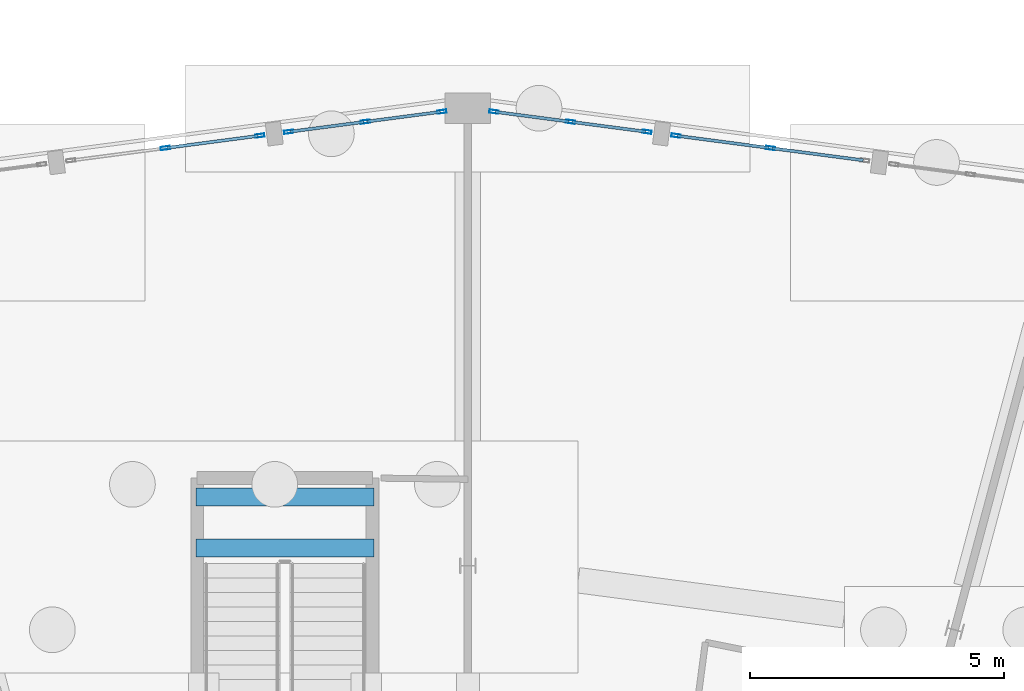
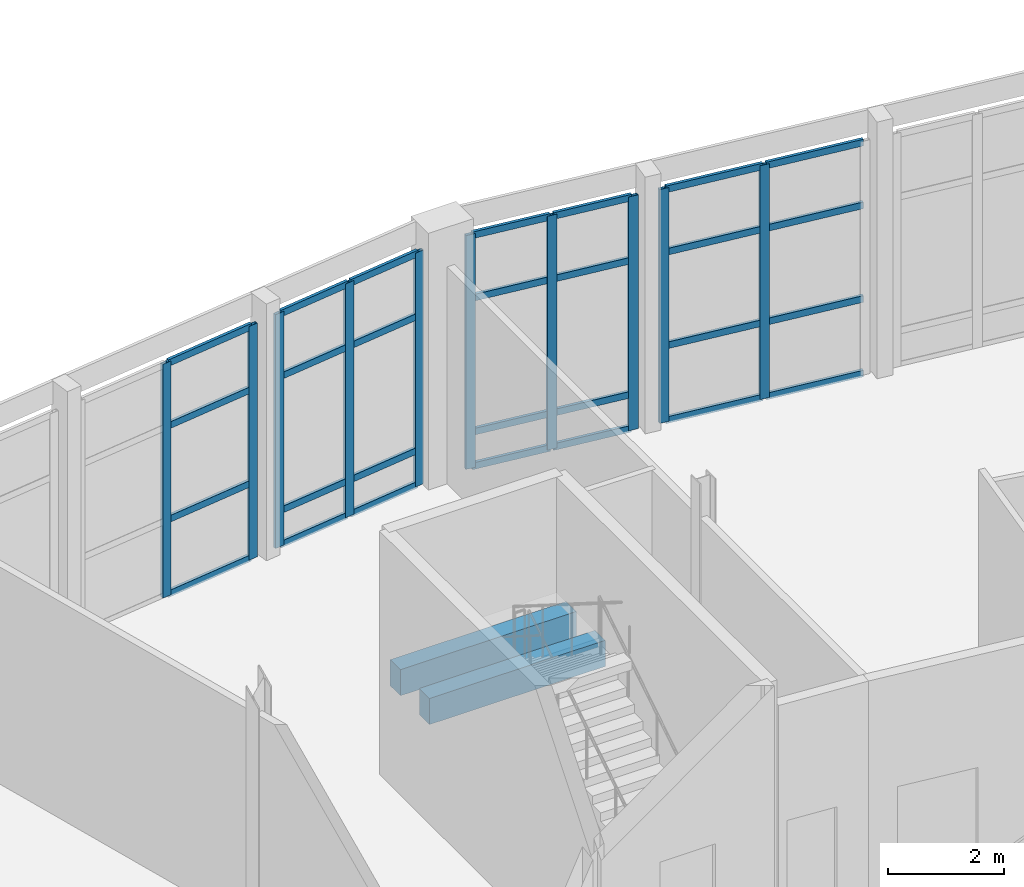
# One storey, part 62 of 137: 38 members, 2 beams, 4 elements without a shape of their own.
"""IFC4 building model written with IfcOpenShell, lengths in metres."""

from ifc_helpers import new_model, si_unit, direction, frame, origin, origin_2d, place, context, subcontext, project, spatial, rectangle, hollow_rectangle, extrude, material, material_profile, profile_set, type_object, element, aggregate, save


model = new_model("IFC4")

# Units and contexts
model_context = context("Model", 3, precision=1e-05, world=origin(), true_north=direction((0.0, 1.0)))
body_context = subcontext(model_context, "Body", "Model", "MODEL_VIEW")
ifc_project = project(units=[si_unit("LENGTHUNIT", "METRE"), si_unit("AREAUNIT", "SQUARE_METRE"), si_unit("VOLUMEUNIT", "CUBIC_METRE"), si_unit("PLANEANGLEUNIT", "RADIAN"), si_unit("MASSUNIT", "GRAM", prefix="KILO")], contexts=[model_context])

# Site, building, storey
site_placement = place(None, origin())
site = spatial("IfcSite", under=ifc_project, at=site_placement, CompositionType="ELEMENT")
building_placement = place(site_placement, origin())
building = spatial("IfcBuilding", under=site, at=building_placement, Name="Vondelvale Polytechnic", CompositionType="ELEMENT")
storey_placement = place(building_placement, origin())
storey = spatial("IfcBuildingStorey", under=building, at=storey_placement, Name="L00", CompositionType="ELEMENT", Elevation=0.0)

# Beams
ifc_material_1 = material(Name="Concrete N40 (f'c = 40 MPa)", Category="concrete")
ifc_material_profile_1 = material_profile(ifc_material_1, rectangle(XDim=0.35009765625, YDim=0.550048828125, at=origin_2d()), Name="RC-BM-350x550")
ifc_profile_set_1 = profile_set([ifc_material_profile_1], Name="Concrete N40 (f'c = 40 MPa)")
beam_type = type_object("IfcBeamType", Name="BM-RC350x550", PredefinedType="BEAM", material=ifc_profile_set_1)
for number, where, z_axis, x_axis, name in (
    (1, (100.14990234375, 109.35009765625, 2.22509765625), (-1.0, 0.0, 0.0), (0.0, -1.0, 0.0), "L00 STLD B-06"),
    (2, (100.14990234375, 110.35009765625, 2.22509765625), (-1.0, 0.0, 0.0), (0.0, -1.0, 0.0), "L00 STLD B-06"),
):
    element("IfcBeam", number, at=place(storey_placement, frame(where, z_axis=z_axis, x_axis=x_axis)), inside=storey, type_object=beam_type, Name=name, PredefinedType="BEAM", context=body_context, shape_type="SweptSolid", body=[
        extrude(rectangle(XDim=0.35009765625, YDim=0.550048828125, at=origin_2d()), origin(), (0.0, 0.0, 1.0), 3.5),
    ])

# Curtain wall, members
ifc_material_2 = material(Name="Glulam GL18 structural Tasmanian oak (fb = 42 MPa)", Category="wood")
curtain_wall_type = type_object("IfcCurtainWallType", Name="CW-RING-OUTER", PredefinedType="NOTDEFINED", material=ifc_material_2)
curtain_wall_1_placement = place(storey_placement, origin())
curtain_wall_1 = element("IfcCurtainWall", 3, at=curtain_wall_1_placement, inside=storey, type_object=curtain_wall_type, Name="L00 architectural curtain wall CW-04-133", PredefinedType="NOTDEFINED")
ifc_material_3 = material(Name="Anodised extruded aluminium 6063-T6", Category="aluminium")
ifc_material_profile_2 = material_profile(ifc_material_3, hollow_rectangle(XDim=0.06494140625, YDim=0.179931640625, WallThickness=0.00390625, at=origin_2d()), Name="CW-MUL-180x65")
ifc_profile_set_2 = profile_set([ifc_material_profile_2], Name="Anodised extruded aluminium 6063-T6")
member_type_1 = type_object("IfcMemberType", Name="CW-MUL-65x180", PredefinedType="MULLION", material=ifc_profile_set_2)
member_1_placement = place(storey_placement, frame((107.952880859375, 117.21630859375, 0.0), z_axis=(0.0, 0.0, 1.0), x_axis=(-0.130497251349, -0.991448671082, 0.0)))
member_1 = element("IfcMember", 4, at=member_1_placement, type_object=member_type_1, Name="CW-04-133 mullion 2", PredefinedType="MULLION", context=body_context, shape_type="SweptSolid", body=[
    extrude(hollow_rectangle(XDim=0.06494140625, YDim=0.179931640625, WallThickness=0.00390625, at=origin_2d()), origin(), (0.0, 0.0, 1.0), 4.919921875),
])
member_2_placement = place(storey_placement, frame((106.0947265625, 117.4609375, 0.0), z_axis=(0.0, 0.0, 1.0), x_axis=(-0.130497251349, -0.991448671082, 0.0)))
member_2 = element("IfcMember", 5, at=member_2_placement, type_object=member_type_1, Name="CW-04-133 mullion 3", PredefinedType="MULLION", context=body_context, shape_type="SweptSolid", body=[
    extrude(hollow_rectangle(XDim=0.06494140625, YDim=0.179931640625, WallThickness=0.00390625, at=origin_2d()), origin(), (0.0, 0.0, 1.0), 4.919921875),
])

curtain_wall_2_placement = place(storey_placement, origin())
curtain_wall_2 = element("IfcCurtainWall", 6, at=curtain_wall_2_placement, inside=storey, type_object=curtain_wall_type, Name="L00 architectural curtain wall CW-04-134", PredefinedType="NOTDEFINED")
member_3_placement = place(storey_placement, frame((105.524658203125, 117.535888671875, 0.0), z_axis=(0.0, 0.0, 1.0), x_axis=(-0.130523690099, -0.991445190781, 0.0)))
member_3 = element("IfcMember", 7, at=member_3_placement, type_object=member_type_1, Name="CW-04-134 mullion 1", PredefinedType="MULLION", context=body_context, shape_type="SweptSolid", body=[
    extrude(hollow_rectangle(XDim=0.06494140625, YDim=0.179931640625, WallThickness=0.00390625, at=origin_2d()), origin(), (0.0, 0.0, 1.0), 4.919921875),
])
member_4_placement = place(storey_placement, frame((104.0185546875, 117.734130859375, 0.0), z_axis=(0.0, 0.0, 1.0), x_axis=(-0.130523690099, -0.991445190781, 0.0)))
member_4 = element("IfcMember", 8, at=member_4_placement, type_object=member_type_1, Name="CW-04-134 mullion 2", PredefinedType="MULLION", context=body_context, shape_type="SweptSolid", body=[
    extrude(hollow_rectangle(XDim=0.06494140625, YDim=0.179931640625, WallThickness=0.00390625, at=origin_2d()), origin(), (0.0, 0.0, 1.0), 4.919921875),
])
member_5_placement = place(storey_placement, frame((102.51220703125, 117.9326171875, 0.0), z_axis=(0.0, 0.0, 1.0), x_axis=(-0.130523690099, -0.991445190781, 0.0)))
member_5 = element("IfcMember", 9, at=member_5_placement, type_object=member_type_1, Name="CW-04-134 mullion 3", PredefinedType="MULLION", context=body_context, shape_type="SweptSolid", body=[
    extrude(hollow_rectangle(XDim=0.06494140625, YDim=0.179931640625, WallThickness=0.00390625, at=origin_2d()), origin(), (0.0, 0.0, 1.0), 4.919921875),
])

curtain_wall_3_placement = place(storey_placement, origin())
curtain_wall_3 = element("IfcCurtainWall", 10, at=curtain_wall_3_placement, inside=storey, type_object=curtain_wall_type, Name="L00 architectural curtain wall CW-04-152", PredefinedType="NOTDEFINED")
member_6_placement = place(storey_placement, frame((101.48779296875, 117.9326171875, 0.0), z_axis=(0.0, 0.0, 1.0), x_axis=(0.130523690099, -0.991445190781, 0.0)))
member_6 = element("IfcMember", 11, at=member_6_placement, type_object=member_type_1, Name="CW-04-152 mullion 1", PredefinedType="MULLION", context=body_context, shape_type="SweptSolid", body=[
    extrude(hollow_rectangle(XDim=0.06494140625, YDim=0.179931640625, WallThickness=0.00390625, at=origin_2d()), origin(), (0.0, 0.0, 1.0), 4.919921875),
])
member_7_placement = place(storey_placement, frame((99.9814453125, 117.734130859375, 0.0), z_axis=(0.0, 0.0, 1.0), x_axis=(0.130523690099, -0.991445190781, 0.0)))
member_7 = element("IfcMember", 12, at=member_7_placement, type_object=member_type_1, Name="CW-04-152 mullion 2", PredefinedType="MULLION", context=body_context, shape_type="SweptSolid", body=[
    extrude(hollow_rectangle(XDim=0.06494140625, YDim=0.179931640625, WallThickness=0.00390625, at=origin_2d()), origin(), (0.0, 0.0, 1.0), 4.919921875),
])
member_8_placement = place(storey_placement, frame((98.475341796875, 117.535888671875, 0.0), z_axis=(0.0, 0.0, 1.0), x_axis=(0.130523690099, -0.991445190781, 0.0)))
member_8 = element("IfcMember", 13, at=member_8_placement, type_object=member_type_1, Name="CW-04-152 mullion 3", PredefinedType="MULLION", context=body_context, shape_type="SweptSolid", body=[
    extrude(hollow_rectangle(XDim=0.06494140625, YDim=0.179931640625, WallThickness=0.00390625, at=origin_2d()), origin(), (0.0, 0.0, 1.0), 4.919921875),
])

curtain_wall_4_placement = place(storey_placement, origin())
curtain_wall_4 = element("IfcCurtainWall", 14, at=curtain_wall_4_placement, inside=storey, type_object=curtain_wall_type, Name="L00 architectural curtain wall CW-04-153", PredefinedType="NOTDEFINED")
member_9_placement = place(storey_placement, frame((97.9052734375, 117.4609375, 0.0), z_axis=(0.0, 0.0, 1.0), x_axis=(0.130497251349, -0.991448671082, 0.0)))
member_9 = element("IfcMember", 15, at=member_9_placement, type_object=member_type_1, Name="CW-04-153 mullion 1", PredefinedType="MULLION", context=body_context, shape_type="SweptSolid", body=[
    extrude(hollow_rectangle(XDim=0.06494140625, YDim=0.179931640625, WallThickness=0.00390625, at=origin_2d()), origin(), (0.0, 0.0, 1.0), 4.919921875),
])
member_10_placement = place(storey_placement, frame((96.047119140625, 117.21630859375, 0.0), z_axis=(0.0, 0.0, 1.0), x_axis=(0.130497251349, -0.991448671082, 0.0)))
member_10 = element("IfcMember", 16, at=member_10_placement, type_object=member_type_1, Name="CW-04-153 mullion 2", PredefinedType="MULLION", context=body_context, shape_type="SweptSolid", body=[
    extrude(hollow_rectangle(XDim=0.06494140625, YDim=0.179931640625, WallThickness=0.00390625, at=origin_2d()), origin(), (0.0, 0.0, 1.0), 4.919921875),
])

# Member
ifc_material_profile_3 = material_profile(ifc_material_3, hollow_rectangle(XDim=0.06005859375, YDim=0.139892578125, WallThickness=0.00341796875, at=origin_2d()), Name="CW-TRN-140x60")
ifc_profile_set_3 = profile_set([ifc_material_profile_3], Name="Anodised extruded aluminium 6063-T6")
member_type_2 = type_object("IfcMemberType", Name="CW-TRN-60x140", PredefinedType="USERDEFINED", material=ifc_profile_set_3)
member_11_placement = place(storey_placement, frame((109.778564453125, 116.97607421875, 0.030029296875), z_axis=(-0.991446943979, 0.130510372288, 0.0), x_axis=(-0.130510372288, -0.991446943979, 0.0)))
member_11 = element("IfcMember", 17, at=member_11_placement, type_object=member_type_2, Name="CW-04-133 transom 1.1", ObjectType="TRANSOM", PredefinedType="USERDEFINED", context=body_context, shape_type="SweptSolid", body=[
    extrude(hollow_rectangle(XDim=0.06005859375, YDim=0.139892578125, WallThickness=0.00341796875, at=origin_2d()), origin(), (0.0, 0.0, 1.0), 1.808837890625),
])

member_12_placement = place(storey_placement, frame((109.778564453125, 116.97607421875, 1.60009765625), z_axis=(-0.991446943979, 0.130510372288, 0.0), x_axis=(-0.130510372288, -0.991446943979, 0.0)))
member_12 = element("IfcMember", 18, at=member_12_placement, type_object=member_type_2, Name="CW-04-133 transom 1.2", ObjectType="TRANSOM", PredefinedType="USERDEFINED", context=body_context, shape_type="SweptSolid", body=[
    extrude(hollow_rectangle(XDim=0.06005859375, YDim=0.139892578125, WallThickness=0.00341796875, at=origin_2d()), origin(), (0.0, 0.0, 1.0), 1.808837890625),
])

member_13_placement = place(storey_placement, frame((109.778564453125, 116.97607421875, 3.570068359375), z_axis=(-0.991446943979, 0.130510372288, 0.0), x_axis=(-0.130510372288, -0.991446943979, 0.0)))
member_13 = element("IfcMember", 19, at=member_13_placement, type_object=member_type_2, Name="CW-04-133 transom 1.3", ObjectType="TRANSOM", PredefinedType="USERDEFINED", context=body_context, shape_type="SweptSolid", body=[
    extrude(hollow_rectangle(XDim=0.06005859375, YDim=0.139892578125, WallThickness=0.00341796875, at=origin_2d()), origin(), (0.0, 0.0, 1.0), 1.808837890625),
])

member_14_placement = place(storey_placement, frame((109.778564453125, 116.97607421875, 4.889892578125), z_axis=(-0.991446943979, 0.130510372288, 0.0), x_axis=(-0.130510372288, -0.991446943979, 0.0)))
member_14 = element("IfcMember", 20, at=member_14_placement, type_object=member_type_2, Name="CW-04-133 transom 1.4", ObjectType="TRANSOM", PredefinedType="USERDEFINED", context=body_context, shape_type="SweptSolid", body=[
    extrude(hollow_rectangle(XDim=0.06005859375, YDim=0.139892578125, WallThickness=0.00341796875, at=origin_2d()), origin(), (0.0, 0.0, 1.0), 1.808837890625),
])

member_15_placement = place(storey_placement, frame((107.920654296875, 117.220458984375, 0.030029296875), z_axis=(-0.991449242357, 0.130492911033, 0.0), x_axis=(-0.130492911033, -0.991449242357, 0.0)))
member_15 = element("IfcMember", 21, at=member_15_placement, type_object=member_type_2, Name="CW-04-133 transom 2.1", ObjectType="TRANSOM", PredefinedType="USERDEFINED", context=body_context, shape_type="SweptSolid", body=[
    extrude(hollow_rectangle(XDim=0.06005859375, YDim=0.139892578125, WallThickness=0.00341796875, at=origin_2d()), origin(), (0.0, 0.0, 1.0), 1.80908203125),
])

member_16_placement = place(storey_placement, frame((107.920654296875, 117.220458984375, 1.60009765625), z_axis=(-0.991449242357, 0.130492911033, 0.0), x_axis=(-0.130492911033, -0.991449242357, 0.0)))
member_16 = element("IfcMember", 22, at=member_16_placement, type_object=member_type_2, Name="CW-04-133 transom 2.2", ObjectType="TRANSOM", PredefinedType="USERDEFINED", context=body_context, shape_type="SweptSolid", body=[
    extrude(hollow_rectangle(XDim=0.06005859375, YDim=0.139892578125, WallThickness=0.00341796875, at=origin_2d()), origin(), (0.0, 0.0, 1.0), 1.80908203125),
])

member_17_placement = place(storey_placement, frame((107.920654296875, 117.220458984375, 3.570068359375), z_axis=(-0.991449242357, 0.130492911033, 0.0), x_axis=(-0.130492911033, -0.991449242357, 0.0)))
member_17 = element("IfcMember", 23, at=member_17_placement, type_object=member_type_2, Name="CW-04-133 transom 2.3", ObjectType="TRANSOM", PredefinedType="USERDEFINED", context=body_context, shape_type="SweptSolid", body=[
    extrude(hollow_rectangle(XDim=0.06005859375, YDim=0.139892578125, WallThickness=0.00341796875, at=origin_2d()), origin(), (0.0, 0.0, 1.0), 1.80908203125),
])

member_18_placement = place(storey_placement, frame((107.920654296875, 117.220458984375, 4.889892578125), z_axis=(-0.991449242357, 0.130492911033, 0.0), x_axis=(-0.130492911033, -0.991449242357, 0.0)))
member_18 = element("IfcMember", 24, at=member_18_placement, type_object=member_type_2, Name="CW-04-133 transom 2.4", ObjectType="TRANSOM", PredefinedType="USERDEFINED", context=body_context, shape_type="SweptSolid", body=[
    extrude(hollow_rectangle(XDim=0.06005859375, YDim=0.139892578125, WallThickness=0.00341796875, at=origin_2d()), origin(), (0.0, 0.0, 1.0), 1.80908203125),
])

aggregate(curtain_wall_1, [member_1, member_2, member_11, member_12, member_13, member_14, member_15, member_16, member_17, member_18])

member_19_placement = place(storey_placement, frame((105.49267578125, 117.540283203125, 0.030029296875), z_axis=(-0.991456580928, 0.130437142462, 0.0), x_axis=(-0.130437142462, -0.991456580928, 0.0)))
member_19 = element("IfcMember", 25, at=member_19_placement, type_object=member_type_2, Name="CW-04-134 transom 1.1", ObjectType="TRANSOM", PredefinedType="USERDEFINED", context=body_context, shape_type="SweptSolid", body=[
    extrude(hollow_rectangle(XDim=0.06005859375, YDim=0.139892578125, WallThickness=0.00341796875, at=origin_2d()), origin(), (0.0, 0.0, 1.0), 1.454345703125),
])

member_20_placement = place(storey_placement, frame((105.49267578125, 117.540283203125, 0.75), z_axis=(-0.991456580928, 0.130437142462, 0.0), x_axis=(-0.130437142462, -0.991456580928, 0.0)))
member_20 = element("IfcMember", 26, at=member_20_placement, type_object=member_type_2, Name="CW-04-134 transom 1.2", ObjectType="TRANSOM", PredefinedType="USERDEFINED", context=body_context, shape_type="SweptSolid", body=[
    extrude(hollow_rectangle(XDim=0.06005859375, YDim=0.139892578125, WallThickness=0.00341796875, at=origin_2d()), origin(), (0.0, 0.0, 1.0), 1.454345703125),
])

member_21_placement = place(storey_placement, frame((105.49267578125, 117.540283203125, 3.570068359375), z_axis=(-0.991456580928, 0.130437142462, 0.0), x_axis=(-0.130437142462, -0.991456580928, 0.0)))
member_21 = element("IfcMember", 27, at=member_21_placement, type_object=member_type_2, Name="CW-04-134 transom 1.3", ObjectType="TRANSOM", PredefinedType="USERDEFINED", context=body_context, shape_type="SweptSolid", body=[
    extrude(hollow_rectangle(XDim=0.06005859375, YDim=0.139892578125, WallThickness=0.00341796875, at=origin_2d()), origin(), (0.0, 0.0, 1.0), 1.454345703125),
])

member_22_placement = place(storey_placement, frame((105.49267578125, 117.540283203125, 4.889892578125), z_axis=(-0.991456580928, 0.130437142462, 0.0), x_axis=(-0.130437142462, -0.991456580928, 0.0)))
member_22 = element("IfcMember", 28, at=member_22_placement, type_object=member_type_2, Name="CW-04-134 transom 1.4", ObjectType="TRANSOM", PredefinedType="USERDEFINED", context=body_context, shape_type="SweptSolid", body=[
    extrude(hollow_rectangle(XDim=0.06005859375, YDim=0.139892578125, WallThickness=0.00341796875, at=origin_2d()), origin(), (0.0, 0.0, 1.0), 1.454345703125),
])

member_23_placement = place(storey_placement, frame((103.986328125, 117.738525390625, 0.030029296875), z_axis=(-0.991456580928, 0.130437142462, 0.0), x_axis=(-0.130437142462, -0.991456580928, 0.0)))
member_23 = element("IfcMember", 29, at=member_23_placement, type_object=member_type_2, Name="CW-04-134 transom 2.1", ObjectType="TRANSOM", PredefinedType="USERDEFINED", context=body_context, shape_type="SweptSolid", body=[
    extrude(hollow_rectangle(XDim=0.06005859375, YDim=0.139892578125, WallThickness=0.00341796875, at=origin_2d()), origin(), (0.0, 0.0, 1.0), 1.454345703125),
])

member_24_placement = place(storey_placement, frame((103.986328125, 117.738525390625, 0.75), z_axis=(-0.991456580928, 0.130437142462, 0.0), x_axis=(-0.130437142462, -0.991456580928, 0.0)))
member_24 = element("IfcMember", 30, at=member_24_placement, type_object=member_type_2, Name="CW-04-134 transom 2.2", ObjectType="TRANSOM", PredefinedType="USERDEFINED", context=body_context, shape_type="SweptSolid", body=[
    extrude(hollow_rectangle(XDim=0.06005859375, YDim=0.139892578125, WallThickness=0.00341796875, at=origin_2d()), origin(), (0.0, 0.0, 1.0), 1.454345703125),
])

member_25_placement = place(storey_placement, frame((103.986328125, 117.738525390625, 3.570068359375), z_axis=(-0.991456580928, 0.130437142462, 0.0), x_axis=(-0.130437142462, -0.991456580928, 0.0)))
member_25 = element("IfcMember", 31, at=member_25_placement, type_object=member_type_2, Name="CW-04-134 transom 2.3", ObjectType="TRANSOM", PredefinedType="USERDEFINED", context=body_context, shape_type="SweptSolid", body=[
    extrude(hollow_rectangle(XDim=0.06005859375, YDim=0.139892578125, WallThickness=0.00341796875, at=origin_2d()), origin(), (0.0, 0.0, 1.0), 1.454345703125),
])

member_26_placement = place(storey_placement, frame((103.986328125, 117.738525390625, 4.889892578125), z_axis=(-0.991456580928, 0.130437142462, 0.0), x_axis=(-0.130437142462, -0.991456580928, 0.0)))
member_26 = element("IfcMember", 32, at=member_26_placement, type_object=member_type_2, Name="CW-04-134 transom 2.4", ObjectType="TRANSOM", PredefinedType="USERDEFINED", context=body_context, shape_type="SweptSolid", body=[
    extrude(hollow_rectangle(XDim=0.06005859375, YDim=0.139892578125, WallThickness=0.00341796875, at=origin_2d()), origin(), (0.0, 0.0, 1.0), 1.454345703125),
])

aggregate(curtain_wall_2, [member_3, member_4, member_5, member_19, member_20, member_21, member_22, member_23, member_24, member_25, member_26])

member_27_placement = place(storey_placement, frame((101.45556640625, 117.92822265625, 0.030029296875), z_axis=(-0.991456580928, -0.130437142462, 0.0), x_axis=(0.130437142462, -0.991456580928, 0.0)))
member_27 = element("IfcMember", 33, at=member_27_placement, type_object=member_type_2, Name="CW-04-152 transom 1.1", ObjectType="TRANSOM", PredefinedType="USERDEFINED", context=body_context, shape_type="SweptSolid", body=[
    extrude(hollow_rectangle(XDim=0.06005859375, YDim=0.139892578125, WallThickness=0.00341796875, at=origin_2d()), origin(), (0.0, 0.0, 1.0), 1.454345703125),
])

member_28_placement = place(storey_placement, frame((101.45556640625, 117.92822265625, 0.75), z_axis=(-0.991456580928, -0.130437142462, 0.0), x_axis=(0.130437142462, -0.991456580928, 0.0)))
member_28 = element("IfcMember", 34, at=member_28_placement, type_object=member_type_2, Name="CW-04-152 transom 1.2", ObjectType="TRANSOM", PredefinedType="USERDEFINED", context=body_context, shape_type="SweptSolid", body=[
    extrude(hollow_rectangle(XDim=0.06005859375, YDim=0.139892578125, WallThickness=0.00341796875, at=origin_2d()), origin(), (0.0, 0.0, 1.0), 1.454345703125),
])

member_29_placement = place(storey_placement, frame((101.45556640625, 117.92822265625, 3.570068359375), z_axis=(-0.991456580928, -0.130437142462, 0.0), x_axis=(0.130437142462, -0.991456580928, 0.0)))
member_29 = element("IfcMember", 35, at=member_29_placement, type_object=member_type_2, Name="CW-04-152 transom 1.3", ObjectType="TRANSOM", PredefinedType="USERDEFINED", context=body_context, shape_type="SweptSolid", body=[
    extrude(hollow_rectangle(XDim=0.06005859375, YDim=0.139892578125, WallThickness=0.00341796875, at=origin_2d()), origin(), (0.0, 0.0, 1.0), 1.454345703125),
])

member_30_placement = place(storey_placement, frame((101.45556640625, 117.92822265625, 4.889892578125), z_axis=(-0.991456580928, -0.130437142462, 0.0), x_axis=(0.130437142462, -0.991456580928, 0.0)))
member_30 = element("IfcMember", 36, at=member_30_placement, type_object=member_type_2, Name="CW-04-152 transom 1.4", ObjectType="TRANSOM", PredefinedType="USERDEFINED", context=body_context, shape_type="SweptSolid", body=[
    extrude(hollow_rectangle(XDim=0.06005859375, YDim=0.139892578125, WallThickness=0.00341796875, at=origin_2d()), origin(), (0.0, 0.0, 1.0), 1.454345703125),
])

member_31_placement = place(storey_placement, frame((99.94921875, 117.72998046875, 0.030029296875), z_axis=(-0.991456580928, -0.130437142462, 0.0), x_axis=(0.130437142462, -0.991456580928, 0.0)))
member_31 = element("IfcMember", 37, at=member_31_placement, type_object=member_type_2, Name="CW-04-152 transom 2.1", ObjectType="TRANSOM", PredefinedType="USERDEFINED", context=body_context, shape_type="SweptSolid", body=[
    extrude(hollow_rectangle(XDim=0.06005859375, YDim=0.139892578125, WallThickness=0.00341796875, at=origin_2d()), origin(), (0.0, 0.0, 1.0), 1.454345703125),
])

member_32_placement = place(storey_placement, frame((99.94921875, 117.72998046875, 0.75), z_axis=(-0.991456580928, -0.130437142462, 0.0), x_axis=(0.130437142462, -0.991456580928, 0.0)))
member_32 = element("IfcMember", 38, at=member_32_placement, type_object=member_type_2, Name="CW-04-152 transom 2.2", ObjectType="TRANSOM", PredefinedType="USERDEFINED", context=body_context, shape_type="SweptSolid", body=[
    extrude(hollow_rectangle(XDim=0.06005859375, YDim=0.139892578125, WallThickness=0.00341796875, at=origin_2d()), origin(), (0.0, 0.0, 1.0), 1.454345703125),
])

member_33_placement = place(storey_placement, frame((99.94921875, 117.72998046875, 3.570068359375), z_axis=(-0.991456580928, -0.130437142462, 0.0), x_axis=(0.130437142462, -0.991456580928, 0.0)))
member_33 = element("IfcMember", 39, at=member_33_placement, type_object=member_type_2, Name="CW-04-152 transom 2.3", ObjectType="TRANSOM", PredefinedType="USERDEFINED", context=body_context, shape_type="SweptSolid", body=[
    extrude(hollow_rectangle(XDim=0.06005859375, YDim=0.139892578125, WallThickness=0.00341796875, at=origin_2d()), origin(), (0.0, 0.0, 1.0), 1.454345703125),
])

member_34_placement = place(storey_placement, frame((99.94921875, 117.72998046875, 4.889892578125), z_axis=(-0.991456580928, -0.130437142462, 0.0), x_axis=(0.130437142462, -0.991456580928, 0.0)))
member_34 = element("IfcMember", 40, at=member_34_placement, type_object=member_type_2, Name="CW-04-152 transom 2.4", ObjectType="TRANSOM", PredefinedType="USERDEFINED", context=body_context, shape_type="SweptSolid", body=[
    extrude(hollow_rectangle(XDim=0.06005859375, YDim=0.139892578125, WallThickness=0.00341796875, at=origin_2d()), origin(), (0.0, 0.0, 1.0), 1.454345703125),
])

aggregate(curtain_wall_3, [member_6, member_7, member_8, member_27, member_28, member_29, member_30, member_31, member_32, member_33, member_34])

member_35_placement = place(storey_placement, frame((97.873046875, 117.45654296875, 0.030029296875), z_axis=(-0.991449242357, -0.130492911033, 0.0), x_axis=(0.130492911033, -0.991449242357, 0.0)))
member_35 = element("IfcMember", 41, at=member_35_placement, type_object=member_type_2, Name="CW-04-153 transom 1.1", ObjectType="TRANSOM", PredefinedType="USERDEFINED", context=body_context, shape_type="SweptSolid", body=[
    extrude(hollow_rectangle(XDim=0.06005859375, YDim=0.139892578125, WallThickness=0.00341796875, at=origin_2d()), origin(), (0.0, 0.0, 1.0), 1.80908203125),
])

member_36_placement = place(storey_placement, frame((97.873046875, 117.45654296875, 1.60009765625), z_axis=(-0.991449242357, -0.130492911033, 0.0), x_axis=(0.130492911033, -0.991449242357, 0.0)))
member_36 = element("IfcMember", 42, at=member_36_placement, type_object=member_type_2, Name="CW-04-153 transom 1.2", ObjectType="TRANSOM", PredefinedType="USERDEFINED", context=body_context, shape_type="SweptSolid", body=[
    extrude(hollow_rectangle(XDim=0.06005859375, YDim=0.139892578125, WallThickness=0.00341796875, at=origin_2d()), origin(), (0.0, 0.0, 1.0), 1.80908203125),
])

member_37_placement = place(storey_placement, frame((97.873046875, 117.45654296875, 3.570068359375), z_axis=(-0.991449242357, -0.130492911033, 0.0), x_axis=(0.130492911033, -0.991449242357, 0.0)))
member_37 = element("IfcMember", 43, at=member_37_placement, type_object=member_type_2, Name="CW-04-153 transom 1.3", ObjectType="TRANSOM", PredefinedType="USERDEFINED", context=body_context, shape_type="SweptSolid", body=[
    extrude(hollow_rectangle(XDim=0.06005859375, YDim=0.139892578125, WallThickness=0.00341796875, at=origin_2d()), origin(), (0.0, 0.0, 1.0), 1.80908203125),
])

member_38_placement = place(storey_placement, frame((97.873046875, 117.45654296875, 4.889892578125), z_axis=(-0.991449242357, -0.130492911033, 0.0), x_axis=(0.130492911033, -0.991449242357, 0.0)))
member_38 = element("IfcMember", 44, at=member_38_placement, type_object=member_type_2, Name="CW-04-153 transom 1.4", ObjectType="TRANSOM", PredefinedType="USERDEFINED", context=body_context, shape_type="SweptSolid", body=[
    extrude(hollow_rectangle(XDim=0.06005859375, YDim=0.139892578125, WallThickness=0.00341796875, at=origin_2d()), origin(), (0.0, 0.0, 1.0), 1.80908203125),
])

aggregate(curtain_wall_4, [member_9, member_10, member_35, member_36, member_37, member_38])

save(model, "model.ifc")
